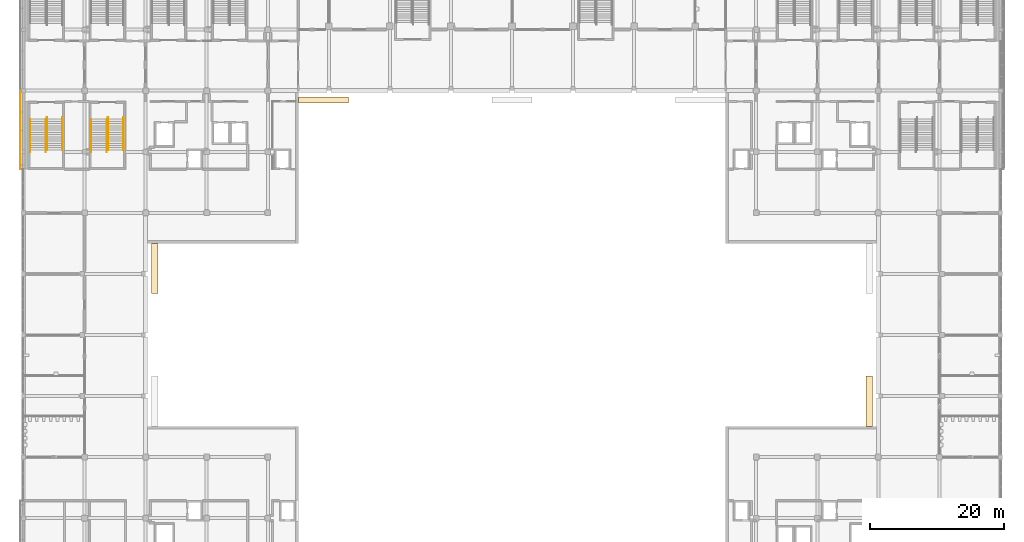
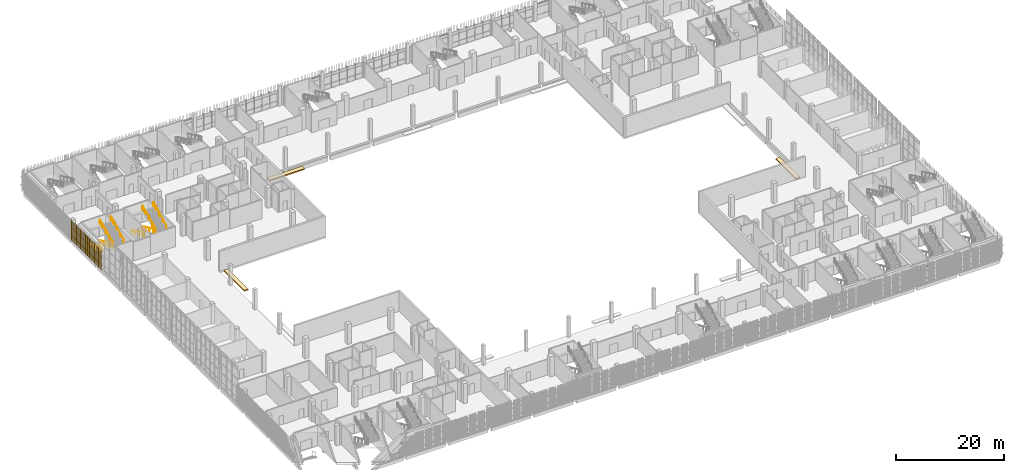
# One storey, part 113 of 126: 8 railings, 3 coverings, 2 shading devices.
"""IFC4 building model written with IfcOpenShell, lengths in metres."""

from ifc_helpers import new_model, si_unit, direction, frame, origin, origin_2d, place, context, subcontext, project, spatial, polyline, rectangle, circle, outline, extrude, material, layer, layer_set, type_object, element, save


model = new_model("IFC4")

# Units and contexts
model_context = context("Model", 3, precision=1e-05, world=origin(), true_north=direction((0.0, 1.0)))
body_context = subcontext(model_context, "Body", "Model", "MODEL_VIEW")
ifc_project = project(units=[si_unit("LENGTHUNIT", "METRE"), si_unit("AREAUNIT", "SQUARE_METRE"), si_unit("VOLUMEUNIT", "CUBIC_METRE"), si_unit("PLANEANGLEUNIT", "RADIAN"), si_unit("MASSUNIT", "GRAM", prefix="KILO")], contexts=[model_context])

# Site, building, storey
site_placement = place(None, origin())
site = spatial("IfcSite", under=ifc_project, at=site_placement, CompositionType="ELEMENT")
building_placement = place(site_placement, origin())
building = spatial("IfcBuilding", under=site, at=building_placement, Name="Shirokan Park Arena", CompositionType="ELEMENT")
storey_placement = place(building_placement, frame((0.0, 0.0, 6.3701171875)))
storey = spatial("IfcBuildingStorey", under=building, at=storey_placement, Name="L01", CompositionType="ELEMENT", Elevation=6.3701171875)

# Coverings
ifc_material_1 = material(Name="Concrete screed on the tier", Category="concrete")
ifc_layer = layer(ifc_material_1, 0.280029296875)
ifc_layer_set = layer_set([ifc_layer], Name="Concrete screed on the tier 280 mm")
covering_type = type_object("IfcCoveringType", Name="Platform floor infill 280", PredefinedType="FLOORING", material=ifc_layer_set)
covering_1_placement = place(storey_placement, frame((0.0, 0.0, -0.280029296875)))
element("IfcCovering", 1, at=covering_1_placement, inside=storey, type_object=covering_type, Name="Wheelchair Platform Floor N1 Lower Tier", PredefinedType="FLOORING", context=body_context, shape_type="SweptSolid", body=[
    extrude(outline(polyline([(48.449951171875, 89.179931640625), (48.449951171875, 90.090087890625), (40.949951171875, 90.090087890625), (40.949951171875, 89.179931640625), (48.449951171875, 89.179931640625)])), origin(), (0.0, 0.0, 1.0), 0.280029296875),
])
covering_2_placement = place(storey_placement, frame((0.0, 0.0, -0.280029296875)))
element("IfcCovering", 2, at=covering_2_placement, inside=storey, type_object=covering_type, Name="Wheelchair Platform Floor E1 Lower Tier", PredefinedType="FLOORING", context=body_context, shape_type="SweptSolid", body=[
    extrude(outline(polyline([(126.489990234375, 40.949951171875), (126.489990234375, 48.449951171875), (125.580078125, 48.449951171875), (125.580078125, 40.949951171875), (126.489990234375, 40.949951171875)])), origin(), (0.0, 0.0, 1.0), 0.280029296875),
])
covering_3_placement = place(storey_placement, frame((0.0, 0.0, -0.280029296875)))
element("IfcCovering", 3, at=covering_3_placement, inside=storey, type_object=covering_type, Name="Wheelchair Platform Floor W2 Lower Tier", PredefinedType="FLOORING", context=body_context, shape_type="SweptSolid", body=[
    extrude(outline(polyline([(20.02001953125, 60.75), (20.02001953125, 68.25), (19.110107421875, 68.25), (19.110107421875, 60.75), (20.02001953125, 60.75)])), origin(), (0.0, 0.0, 1.0), 0.280029296875),
])

# Railings
ifc_material_2 = material(Name="Stainless steel", Category="steel")
railing_type = type_object("IfcRailingType", Name="Stair handrail 900", PredefinedType="HANDRAIL", material=ifc_material_2)
railing_1_placement = place(storey_placement, frame((0.989990234375, 86.75, 0.151611328125)))
element("IfcRailing", 4, at=railing_1_placement, inside=storey, type_object=railing_type, Name="Handrail Exit Stair 4.E L01 to L02", PredefinedType="HANDRAIL", context=body_context, shape_type="SweptSolid", body=[
    extrude(circle(Radius=0.02392578125, at=origin_2d()), frame((0.0, 0.0, 0.8759765625), z_axis=(0.0, -0.907029769225, 0.421066500378), x_axis=(1.0, 0.0, 0.0)), (0.0, 0.0, 1.0), 1.44091796875),
    extrude(circle(Radius=0.02392578125, at=origin_2d()), frame((0.0, -1.306884765625, 1.482421875), z_axis=(0.0, -0.906999720516, 0.421131222998), x_axis=(1.0, 0.0, 0.0)), (0.0, 0.0, 1.0), 1.440673828125),
    extrude(circle(Radius=0.02392578125, at=origin_2d()), frame((0.0, -2.613525390625, 2.08935546875), z_axis=(0.0, -0.907094476872, 0.420927083981), x_axis=(1.0, 0.0, 0.0)), (0.0, 0.0, 1.0), 1.440673828125),
    extrude(circle(Radius=0.02392578125, at=origin_2d()), frame((0.0, -3.92041015625, 2.69580078125), z_axis=(0.0, -0.906934982928, 0.421270621741), x_axis=(1.0, 0.0, 0.0)), (0.0, 0.0, 1.0), 0.720458984375),
    extrude(circle(Radius=0.02392578125, at=origin_2d()), frame((0.0, -4.57373046875, 2.9990234375), z_axis=(0.0, -1.0, 0.0), x_axis=(1.0, 0.0, 0.0)), (0.0, 0.0, 1.0), 0.300048828125),
    extrude(circle(Radius=0.02099609375, at=origin_2d()), origin(), (0.0, 0.0, 1.0), 0.851806640625),
    extrude(circle(Radius=0.02099609375, at=origin_2d()), frame((0.0, -1.306884765625, 0.606689453125)), (0.0, 0.0, 1.0), 0.851806640625),
    extrude(circle(Radius=0.02099609375, at=origin_2d()), frame((0.0, -2.613525390625, 1.21337890625)), (0.0, 0.0, 1.0), 0.851806640625),
    extrude(circle(Radius=0.02099609375, at=origin_2d()), frame((0.0, -3.92041015625, 1.81982421875)), (0.0, 0.0, 1.0), 0.851806640625),
    extrude(circle(Radius=0.02099609375, at=origin_2d()), frame((0.0, -4.57373046875, 2.123291015625)), (0.0, 0.0, 1.0), 0.851806640625),
    extrude(circle(Radius=0.02099609375, at=origin_2d()), frame((0.0, -4.873779296875, 2.123291015625)), (0.0, 0.0, 1.0), 0.851806640625),
])
railing_2_placement = place(storey_placement, frame((3.31005859375, 86.75, 0.151611328125)))
element("IfcRailing", 5, at=railing_2_placement, inside=storey, type_object=railing_type, Name="Handrail Exit Stair 4.E L01 to L02", PredefinedType="HANDRAIL", context=body_context, shape_type="SweptSolid", body=[
    extrude(circle(Radius=0.02392578125, at=origin_2d()), frame((0.0, 0.0, 0.8759765625), z_axis=(0.0, -0.907029769225, 0.421066500378), x_axis=(1.0, 0.0, 0.0)), (0.0, 0.0, 1.0), 1.44091796875),
    extrude(circle(Radius=0.02392578125, at=origin_2d()), frame((0.0, -1.306884765625, 1.482421875), z_axis=(0.0, -0.906999720516, 0.421131222998), x_axis=(1.0, 0.0, 0.0)), (0.0, 0.0, 1.0), 1.440673828125),
    extrude(circle(Radius=0.02392578125, at=origin_2d()), frame((0.0, -2.613525390625, 2.08935546875), z_axis=(0.0, -0.907094476872, 0.420927083981), x_axis=(1.0, 0.0, 0.0)), (0.0, 0.0, 1.0), 1.440673828125),
    extrude(circle(Radius=0.02392578125, at=origin_2d()), frame((0.0, -3.92041015625, 2.69580078125), z_axis=(0.0, -0.906934982928, 0.421270621741), x_axis=(1.0, 0.0, 0.0)), (0.0, 0.0, 1.0), 0.720458984375),
    extrude(circle(Radius=0.02392578125, at=origin_2d()), frame((0.0, -4.57373046875, 2.9990234375), z_axis=(0.0, -1.0, 0.0), x_axis=(1.0, 0.0, 0.0)), (0.0, 0.0, 1.0), 0.300048828125),
    extrude(circle(Radius=0.02099609375, at=origin_2d()), origin(), (0.0, 0.0, 1.0), 0.851806640625),
    extrude(circle(Radius=0.02099609375, at=origin_2d()), frame((0.0, -1.306884765625, 0.606689453125)), (0.0, 0.0, 1.0), 0.851806640625),
    extrude(circle(Radius=0.02099609375, at=origin_2d()), frame((0.0, -2.613525390625, 1.21337890625)), (0.0, 0.0, 1.0), 0.851806640625),
    extrude(circle(Radius=0.02099609375, at=origin_2d()), frame((0.0, -3.92041015625, 1.81982421875)), (0.0, 0.0, 1.0), 0.851806640625),
    extrude(circle(Radius=0.02099609375, at=origin_2d()), frame((0.0, -4.57373046875, 2.123291015625)), (0.0, 0.0, 1.0), 0.851806640625),
    extrude(circle(Radius=0.02099609375, at=origin_2d()), frame((0.0, -4.873779296875, 2.123291015625)), (0.0, 0.0, 1.0), 0.851806640625),
])
railing_3_placement = place(storey_placement, frame((3.489990234375, 82.17626953125, 2.426513671875)))
element("IfcRailing", 6, at=railing_3_placement, inside=storey, type_object=railing_type, Name="Handrail Exit Stair 4.E L01 to L02", PredefinedType="HANDRAIL", context=body_context, shape_type="SweptSolid", body=[
    extrude(circle(Radius=0.02392578125, at=origin_2d()), frame((0.0, 0.0, 0.8759765625), z_axis=(0.0, 0.906999720516, 0.421131222998), x_axis=(-1.0, 0.0, 0.0)), (0.0, 0.0, 1.0), 1.440673828125),
    extrude(circle(Radius=0.02392578125, at=origin_2d()), frame((0.0, 1.306640625, 1.482421875), z_axis=(0.0, 0.907029769225, 0.421066500378), x_axis=(-1.0, 0.0, 0.0)), (0.0, 0.0, 1.0), 1.44091796875),
    extrude(circle(Radius=0.02392578125, at=origin_2d()), frame((0.0, 2.613525390625, 2.08935546875), z_axis=(0.0, 0.907029769225, 0.421066500378), x_axis=(-1.0, 0.0, 0.0)), (0.0, 0.0, 1.0), 1.44091796875),
    extrude(circle(Radius=0.02392578125, at=origin_2d()), frame((0.0, 3.92041015625, 2.69580078125), z_axis=(0.0, 0.907064445915, 0.420991794405), x_axis=(-1.0, 0.0, 0.0)), (0.0, 0.0, 1.0), 0.72021484375),
    extrude(circle(Radius=0.02392578125, at=origin_2d()), frame((0.0, 4.57373046875, 2.9990234375), z_axis=(0.0, 1.0, 0.0), x_axis=(-1.0, 0.0, 0.0)), (0.0, 0.0, 1.0), 0.300048828125),
    extrude(circle(Radius=0.02099609375, at=origin_2d()), origin(), (0.0, 0.0, 1.0), 0.851806640625),
    extrude(circle(Radius=0.02099609375, at=origin_2d()), frame((0.0, 1.306640625, 0.606689453125)), (0.0, 0.0, 1.0), 0.851806640625),
    extrude(circle(Radius=0.02099609375, at=origin_2d()), frame((0.0, 2.613525390625, 1.21337890625)), (0.0, 0.0, 1.0), 0.851806640625),
    extrude(circle(Radius=0.02099609375, at=origin_2d()), frame((0.0, 3.92041015625, 1.820068359375)), (0.0, 0.0, 1.0), 0.851806640625),
    extrude(circle(Radius=0.02099609375, at=origin_2d()), frame((0.0, 4.57373046875, 2.123291015625)), (0.0, 0.0, 1.0), 0.851806640625),
    extrude(circle(Radius=0.02099609375, at=origin_2d()), frame((0.0, 4.873779296875, 2.123291015625)), (0.0, 0.0, 1.0), 0.851806640625),
])
railing_4_placement = place(storey_placement, frame((5.81005859375, 82.17626953125, 2.426513671875)))
element("IfcRailing", 7, at=railing_4_placement, inside=storey, type_object=railing_type, Name="Handrail Exit Stair 4.E L01 to L02", PredefinedType="HANDRAIL", context=body_context, shape_type="SweptSolid", body=[
    extrude(circle(Radius=0.02392578125, at=origin_2d()), frame((0.0, 0.0, 0.8759765625), z_axis=(0.0, 0.906999720516, 0.421131222998), x_axis=(-1.0, 0.0, 0.0)), (0.0, 0.0, 1.0), 1.440673828125),
    extrude(circle(Radius=0.02392578125, at=origin_2d()), frame((0.0, 1.306640625, 1.482421875), z_axis=(0.0, 0.907029769225, 0.421066500378), x_axis=(-1.0, 0.0, 0.0)), (0.0, 0.0, 1.0), 1.44091796875),
    extrude(circle(Radius=0.02392578125, at=origin_2d()), frame((0.0, 2.613525390625, 2.08935546875), z_axis=(0.0, 0.907029769225, 0.421066500378), x_axis=(-1.0, 0.0, 0.0)), (0.0, 0.0, 1.0), 1.44091796875),
    extrude(circle(Radius=0.02392578125, at=origin_2d()), frame((0.0, 3.92041015625, 2.69580078125), z_axis=(0.0, 0.907064445915, 0.420991794405), x_axis=(-1.0, 0.0, 0.0)), (0.0, 0.0, 1.0), 0.72021484375),
    extrude(circle(Radius=0.02392578125, at=origin_2d()), frame((0.0, 4.57373046875, 2.9990234375), z_axis=(0.0, 1.0, 0.0), x_axis=(-1.0, 0.0, 0.0)), (0.0, 0.0, 1.0), 0.300048828125),
    extrude(circle(Radius=0.02099609375, at=origin_2d()), origin(), (0.0, 0.0, 1.0), 0.851806640625),
    extrude(circle(Radius=0.02099609375, at=origin_2d()), frame((0.0, 1.306640625, 0.606689453125)), (0.0, 0.0, 1.0), 0.851806640625),
    extrude(circle(Radius=0.02099609375, at=origin_2d()), frame((0.0, 2.613525390625, 1.21337890625)), (0.0, 0.0, 1.0), 0.851806640625),
    extrude(circle(Radius=0.02099609375, at=origin_2d()), frame((0.0, 3.92041015625, 1.820068359375)), (0.0, 0.0, 1.0), 0.851806640625),
    extrude(circle(Radius=0.02099609375, at=origin_2d()), frame((0.0, 4.57373046875, 2.123291015625)), (0.0, 0.0, 1.0), 0.851806640625),
    extrude(circle(Radius=0.02099609375, at=origin_2d()), frame((0.0, 4.873779296875, 2.123291015625)), (0.0, 0.0, 1.0), 0.851806640625),
])
railing_5_placement = place(storey_placement, frame((10.090087890625, 86.75, 0.151611328125)))
element("IfcRailing", 8, at=railing_5_placement, inside=storey, type_object=railing_type, Name="Handrail Exit Stair 4.F L01 to L02", PredefinedType="HANDRAIL", context=body_context, shape_type="SweptSolid", body=[
    extrude(circle(Radius=0.02392578125, at=origin_2d()), frame((0.0, 0.0, 0.8759765625), z_axis=(0.0, -0.907029769225, 0.421066500378), x_axis=(1.0, 0.0, 0.0)), (0.0, 0.0, 1.0), 1.44091796875),
    extrude(circle(Radius=0.02392578125, at=origin_2d()), frame((0.0, -1.306884765625, 1.482421875), z_axis=(0.0, -0.906999720516, 0.421131222998), x_axis=(1.0, 0.0, 0.0)), (0.0, 0.0, 1.0), 1.440673828125),
    extrude(circle(Radius=0.02392578125, at=origin_2d()), frame((0.0, -2.613525390625, 2.08935546875), z_axis=(0.0, -0.907094476872, 0.420927083981), x_axis=(1.0, 0.0, 0.0)), (0.0, 0.0, 1.0), 1.440673828125),
    extrude(circle(Radius=0.02392578125, at=origin_2d()), frame((0.0, -3.92041015625, 2.69580078125), z_axis=(0.0, -0.906934982928, 0.421270621741), x_axis=(1.0, 0.0, 0.0)), (0.0, 0.0, 1.0), 0.720458984375),
    extrude(circle(Radius=0.02392578125, at=origin_2d()), frame((0.0, -4.57373046875, 2.9990234375), z_axis=(0.0, -1.0, 0.0), x_axis=(1.0, 0.0, 0.0)), (0.0, 0.0, 1.0), 0.300048828125),
    extrude(circle(Radius=0.02099609375, at=origin_2d()), origin(), (0.0, 0.0, 1.0), 0.851806640625),
    extrude(circle(Radius=0.02099609375, at=origin_2d()), frame((0.0, -1.306884765625, 0.606689453125)), (0.0, 0.0, 1.0), 0.851806640625),
    extrude(circle(Radius=0.02099609375, at=origin_2d()), frame((0.0, -2.613525390625, 1.21337890625)), (0.0, 0.0, 1.0), 0.851806640625),
    extrude(circle(Radius=0.02099609375, at=origin_2d()), frame((0.0, -3.92041015625, 1.81982421875)), (0.0, 0.0, 1.0), 0.851806640625),
    extrude(circle(Radius=0.02099609375, at=origin_2d()), frame((0.0, -4.57373046875, 2.123291015625)), (0.0, 0.0, 1.0), 0.851806640625),
    extrude(circle(Radius=0.02099609375, at=origin_2d()), frame((0.0, -4.873779296875, 2.123291015625)), (0.0, 0.0, 1.0), 0.851806640625),
])
railing_6_placement = place(storey_placement, frame((12.409912109375, 86.75, 0.151611328125)))
element("IfcRailing", 9, at=railing_6_placement, inside=storey, type_object=railing_type, Name="Handrail Exit Stair 4.F L01 to L02", PredefinedType="HANDRAIL", context=body_context, shape_type="SweptSolid", body=[
    extrude(circle(Radius=0.02392578125, at=origin_2d()), frame((0.0, 0.0, 0.8759765625), z_axis=(0.0, -0.907029769225, 0.421066500378), x_axis=(1.0, 0.0, 0.0)), (0.0, 0.0, 1.0), 1.44091796875),
    extrude(circle(Radius=0.02392578125, at=origin_2d()), frame((0.0, -1.306884765625, 1.482421875), z_axis=(0.0, -0.906999720516, 0.421131222998), x_axis=(1.0, 0.0, 0.0)), (0.0, 0.0, 1.0), 1.440673828125),
    extrude(circle(Radius=0.02392578125, at=origin_2d()), frame((0.0, -2.613525390625, 2.08935546875), z_axis=(0.0, -0.907094476872, 0.420927083981), x_axis=(1.0, 0.0, 0.0)), (0.0, 0.0, 1.0), 1.440673828125),
    extrude(circle(Radius=0.02392578125, at=origin_2d()), frame((0.0, -3.92041015625, 2.69580078125), z_axis=(0.0, -0.906934982928, 0.421270621741), x_axis=(1.0, 0.0, 0.0)), (0.0, 0.0, 1.0), 0.720458984375),
    extrude(circle(Radius=0.02392578125, at=origin_2d()), frame((0.0, -4.57373046875, 2.9990234375), z_axis=(0.0, -1.0, 0.0), x_axis=(1.0, 0.0, 0.0)), (0.0, 0.0, 1.0), 0.300048828125),
    extrude(circle(Radius=0.02099609375, at=origin_2d()), origin(), (0.0, 0.0, 1.0), 0.851806640625),
    extrude(circle(Radius=0.02099609375, at=origin_2d()), frame((0.0, -1.306884765625, 0.606689453125)), (0.0, 0.0, 1.0), 0.851806640625),
    extrude(circle(Radius=0.02099609375, at=origin_2d()), frame((0.0, -2.613525390625, 1.21337890625)), (0.0, 0.0, 1.0), 0.851806640625),
    extrude(circle(Radius=0.02099609375, at=origin_2d()), frame((0.0, -3.92041015625, 1.81982421875)), (0.0, 0.0, 1.0), 0.851806640625),
    extrude(circle(Radius=0.02099609375, at=origin_2d()), frame((0.0, -4.57373046875, 2.123291015625)), (0.0, 0.0, 1.0), 0.851806640625),
    extrude(circle(Radius=0.02099609375, at=origin_2d()), frame((0.0, -4.873779296875, 2.123291015625)), (0.0, 0.0, 1.0), 0.851806640625),
])
railing_7_placement = place(storey_placement, frame((12.590087890625, 82.17626953125, 2.426513671875)))
element("IfcRailing", 10, at=railing_7_placement, inside=storey, type_object=railing_type, Name="Handrail Exit Stair 4.F L01 to L02", PredefinedType="HANDRAIL", context=body_context, shape_type="SweptSolid", body=[
    extrude(circle(Radius=0.02392578125, at=origin_2d()), frame((0.0, 0.0, 0.8759765625), z_axis=(0.0, 0.906999720516, 0.421131222998), x_axis=(-1.0, 0.0, 0.0)), (0.0, 0.0, 1.0), 1.440673828125),
    extrude(circle(Radius=0.02392578125, at=origin_2d()), frame((0.0, 1.306640625, 1.482421875), z_axis=(0.0, 0.907029769225, 0.421066500378), x_axis=(-1.0, 0.0, 0.0)), (0.0, 0.0, 1.0), 1.44091796875),
    extrude(circle(Radius=0.02392578125, at=origin_2d()), frame((0.0, 2.613525390625, 2.08935546875), z_axis=(0.0, 0.907029769225, 0.421066500378), x_axis=(-1.0, 0.0, 0.0)), (0.0, 0.0, 1.0), 1.44091796875),
    extrude(circle(Radius=0.02392578125, at=origin_2d()), frame((0.0, 3.92041015625, 2.69580078125), z_axis=(0.0, 0.907064445915, 0.420991794405), x_axis=(-1.0, 0.0, 0.0)), (0.0, 0.0, 1.0), 0.72021484375),
    extrude(circle(Radius=0.02392578125, at=origin_2d()), frame((0.0, 4.57373046875, 2.9990234375), z_axis=(0.0, 1.0, 0.0), x_axis=(-1.0, 0.0, 0.0)), (0.0, 0.0, 1.0), 0.300048828125),
    extrude(circle(Radius=0.02099609375, at=origin_2d()), origin(), (0.0, 0.0, 1.0), 0.851806640625),
    extrude(circle(Radius=0.02099609375, at=origin_2d()), frame((0.0, 1.306640625, 0.606689453125)), (0.0, 0.0, 1.0), 0.851806640625),
    extrude(circle(Radius=0.02099609375, at=origin_2d()), frame((0.0, 2.613525390625, 1.21337890625)), (0.0, 0.0, 1.0), 0.851806640625),
    extrude(circle(Radius=0.02099609375, at=origin_2d()), frame((0.0, 3.92041015625, 1.820068359375)), (0.0, 0.0, 1.0), 0.851806640625),
    extrude(circle(Radius=0.02099609375, at=origin_2d()), frame((0.0, 4.57373046875, 2.123291015625)), (0.0, 0.0, 1.0), 0.851806640625),
    extrude(circle(Radius=0.02099609375, at=origin_2d()), frame((0.0, 4.873779296875, 2.123291015625)), (0.0, 0.0, 1.0), 0.851806640625),
])
railing_8_placement = place(storey_placement, frame((14.909912109375, 82.17626953125, 2.426513671875)))
element("IfcRailing", 11, at=railing_8_placement, inside=storey, type_object=railing_type, Name="Handrail Exit Stair 4.F L01 to L02", PredefinedType="HANDRAIL", context=body_context, shape_type="SweptSolid", body=[
    extrude(circle(Radius=0.02392578125, at=origin_2d()), frame((0.0, 0.0, 0.8759765625), z_axis=(0.0, 0.906999720516, 0.421131222998), x_axis=(-1.0, 0.0, 0.0)), (0.0, 0.0, 1.0), 1.440673828125),
    extrude(circle(Radius=0.02392578125, at=origin_2d()), frame((0.0, 1.306640625, 1.482421875), z_axis=(0.0, 0.907029769225, 0.421066500378), x_axis=(-1.0, 0.0, 0.0)), (0.0, 0.0, 1.0), 1.44091796875),
    extrude(circle(Radius=0.02392578125, at=origin_2d()), frame((0.0, 2.613525390625, 2.08935546875), z_axis=(0.0, 0.907029769225, 0.421066500378), x_axis=(-1.0, 0.0, 0.0)), (0.0, 0.0, 1.0), 1.44091796875),
    extrude(circle(Radius=0.02392578125, at=origin_2d()), frame((0.0, 3.92041015625, 2.69580078125), z_axis=(0.0, 0.907064445915, 0.420991794405), x_axis=(-1.0, 0.0, 0.0)), (0.0, 0.0, 1.0), 0.72021484375),
    extrude(circle(Radius=0.02392578125, at=origin_2d()), frame((0.0, 4.57373046875, 2.9990234375), z_axis=(0.0, 1.0, 0.0), x_axis=(-1.0, 0.0, 0.0)), (0.0, 0.0, 1.0), 0.300048828125),
    extrude(circle(Radius=0.02099609375, at=origin_2d()), origin(), (0.0, 0.0, 1.0), 0.851806640625),
    extrude(circle(Radius=0.02099609375, at=origin_2d()), frame((0.0, 1.306640625, 0.606689453125)), (0.0, 0.0, 1.0), 0.851806640625),
    extrude(circle(Radius=0.02099609375, at=origin_2d()), frame((0.0, 2.613525390625, 1.21337890625)), (0.0, 0.0, 1.0), 0.851806640625),
    extrude(circle(Radius=0.02099609375, at=origin_2d()), frame((0.0, 3.92041015625, 1.820068359375)), (0.0, 0.0, 1.0), 0.851806640625),
    extrude(circle(Radius=0.02099609375, at=origin_2d()), frame((0.0, 4.57373046875, 2.123291015625)), (0.0, 0.0, 1.0), 0.851806640625),
    extrude(circle(Radius=0.02099609375, at=origin_2d()), frame((0.0, 4.873779296875, 2.123291015625)), (0.0, 0.0, 1.0), 0.851806640625),
])

# Shading devices
ifc_material_3 = material(Name="Timber louvre veil (cedar)", Category="wood")
shading_device_type = type_object("IfcShadingDeviceType", Name="Timber louvre veil panel", PredefinedType="JALOUSIE", material=ifc_material_3)
shading_device_1_placement = place(storey_placement, origin())
element("IfcShadingDevice", 12, at=shading_device_1_placement, inside=storey, type_object=shading_device_type, Name="Timber louvre veil west bay 3 L01", PredefinedType="JALOUSIE", context=body_context, shape_type="SweptSolid", body=[
    extrude(rectangle(XDim=0.050048828125, YDim=0.080078125, at=origin_2d()), frame((-0.485107421875, 90.848388671875, 0.0), z_axis=(0.0, 0.0, 1.0), x_axis=(0.0, -1.0, 0.0)), (0.0, 0.0, 1.0), 4.550048828125),
    extrude(rectangle(XDim=0.050048828125, YDim=0.080078125, at=origin_2d()), frame((-0.485107421875, 90.544921875, 0.0), z_axis=(0.0, 0.0, 1.0), x_axis=(0.0, -1.0, 0.0)), (0.0, 0.0, 1.0), 4.550048828125),
    extrude(rectangle(XDim=0.050048828125, YDim=0.080078125, at=origin_2d()), frame((-0.485107421875, 90.24169921875, 0.0), z_axis=(0.0, 0.0, 1.0), x_axis=(0.0, -1.0, 0.0)), (0.0, 0.0, 1.0), 4.550048828125),
    extrude(rectangle(XDim=0.050048828125, YDim=0.080078125, at=origin_2d()), frame((-0.485107421875, 89.938232421875, 0.0), z_axis=(0.0, 0.0, 1.0), x_axis=(0.0, -1.0, 0.0)), (0.0, 0.0, 1.0), 4.550048828125),
    extrude(rectangle(XDim=0.050048828125, YDim=0.080078125, at=origin_2d()), frame((-0.485107421875, 89.635009765625, 0.0), z_axis=(0.0, 0.0, 1.0), x_axis=(0.0, -1.0, 0.0)), (0.0, 0.0, 1.0), 4.550048828125),
    extrude(rectangle(XDim=0.050048828125, YDim=0.080078125, at=origin_2d()), frame((-0.485107421875, 89.331787109375, 0.0), z_axis=(0.0, 0.0, 1.0), x_axis=(0.0, -1.0, 0.0)), (0.0, 0.0, 1.0), 4.550048828125),
    extrude(rectangle(XDim=0.050048828125, YDim=0.080078125, at=origin_2d()), frame((-0.485107421875, 89.0283203125, 0.0), z_axis=(0.0, 0.0, 1.0), x_axis=(0.0, -1.0, 0.0)), (0.0, 0.0, 1.0), 4.550048828125),
    extrude(rectangle(XDim=0.050048828125, YDim=0.080078125, at=origin_2d()), frame((-0.485107421875, 88.72509765625, 0.0), z_axis=(0.0, 0.0, 1.0), x_axis=(0.0, -1.0, 0.0)), (0.0, 0.0, 1.0), 4.550048828125),
    extrude(rectangle(XDim=0.050048828125, YDim=0.080078125, at=origin_2d()), frame((-0.485107421875, 88.421630859375, 0.0), z_axis=(0.0, 0.0, 1.0), x_axis=(0.0, -1.0, 0.0)), (0.0, 0.0, 1.0), 4.550048828125),
    extrude(rectangle(XDim=0.050048828125, YDim=0.080078125, at=origin_2d()), frame((-0.485107421875, 88.118408203125, 0.0), z_axis=(0.0, 0.0, 1.0), x_axis=(0.0, -1.0, 0.0)), (0.0, 0.0, 1.0), 4.550048828125),
    extrude(rectangle(XDim=0.050048828125, YDim=0.080078125, at=origin_2d()), frame((-0.485107421875, 87.81494140625, 0.0), z_axis=(0.0, 0.0, 1.0), x_axis=(0.0, -1.0, 0.0)), (0.0, 0.0, 1.0), 4.550048828125),
    extrude(rectangle(XDim=0.050048828125, YDim=0.080078125, at=origin_2d()), frame((-0.485107421875, 87.51171875, 0.0), z_axis=(0.0, 0.0, 1.0), x_axis=(0.0, -1.0, 0.0)), (0.0, 0.0, 1.0), 4.550048828125),
    extrude(rectangle(XDim=0.050048828125, YDim=0.080078125, at=origin_2d()), frame((-0.485107421875, 87.208251953125, 0.0), z_axis=(0.0, 0.0, 1.0), x_axis=(0.0, -1.0, 0.0)), (0.0, 0.0, 1.0), 4.550048828125),
    extrude(rectangle(XDim=0.050048828125, YDim=0.080078125, at=origin_2d()), frame((-0.485107421875, 86.905029296875, 0.0), z_axis=(0.0, 0.0, 1.0), x_axis=(0.0, -1.0, 0.0)), (0.0, 0.0, 1.0), 4.550048828125),
    extrude(rectangle(XDim=0.050048828125, YDim=0.080078125, at=origin_2d()), frame((-0.485107421875, 86.6015625, 0.0), z_axis=(0.0, 0.0, 1.0), x_axis=(0.0, -1.0, 0.0)), (0.0, 0.0, 1.0), 4.550048828125),
    extrude(rectangle(XDim=0.050048828125, YDim=0.080078125, at=origin_2d()), frame((-0.485107421875, 86.29833984375, 0.0), z_axis=(0.0, 0.0, 1.0), x_axis=(0.0, -1.0, 0.0)), (0.0, 0.0, 1.0), 4.550048828125),
    extrude(rectangle(XDim=0.050048828125, YDim=0.080078125, at=origin_2d()), frame((-0.485107421875, 85.9951171875, 0.0), z_axis=(0.0, 0.0, 1.0), x_axis=(0.0, -1.0, 0.0)), (0.0, 0.0, 1.0), 4.550048828125),
    extrude(rectangle(XDim=0.050048828125, YDim=0.080078125, at=origin_2d()), frame((-0.485107421875, 85.691650390625, 0.0), z_axis=(0.0, 0.0, 1.0), x_axis=(0.0, -1.0, 0.0)), (0.0, 0.0, 1.0), 4.550048828125),
    extrude(rectangle(XDim=0.050048828125, YDim=0.080078125, at=origin_2d()), frame((-0.485107421875, 85.388427734375, 0.0), z_axis=(0.0, 0.0, 1.0), x_axis=(0.0, -1.0, 0.0)), (0.0, 0.0, 1.0), 4.550048828125),
    extrude(rectangle(XDim=0.050048828125, YDim=0.080078125, at=origin_2d()), frame((-0.485107421875, 85.0849609375, 0.0), z_axis=(0.0, 0.0, 1.0), x_axis=(0.0, -1.0, 0.0)), (0.0, 0.0, 1.0), 4.550048828125),
    extrude(rectangle(XDim=0.050048828125, YDim=0.080078125, at=origin_2d()), frame((-0.485107421875, 84.78173828125, 0.0), z_axis=(0.0, 0.0, 1.0), x_axis=(0.0, -1.0, 0.0)), (0.0, 0.0, 1.0), 4.550048828125),
    extrude(rectangle(XDim=0.050048828125, YDim=0.080078125, at=origin_2d()), frame((-0.485107421875, 84.478271484375, 0.0), z_axis=(0.0, 0.0, 1.0), x_axis=(0.0, -1.0, 0.0)), (0.0, 0.0, 1.0), 4.550048828125),
    extrude(rectangle(XDim=0.050048828125, YDim=0.080078125, at=origin_2d()), frame((-0.485107421875, 84.175048828125, 0.0), z_axis=(0.0, 0.0, 1.0), x_axis=(0.0, -1.0, 0.0)), (0.0, 0.0, 1.0), 4.550048828125),
    extrude(rectangle(XDim=0.050048828125, YDim=0.080078125, at=origin_2d()), frame((-0.485107421875, 83.87158203125, 0.0), z_axis=(0.0, 0.0, 1.0), x_axis=(0.0, -1.0, 0.0)), (0.0, 0.0, 1.0), 4.550048828125),
    extrude(rectangle(XDim=0.050048828125, YDim=0.080078125, at=origin_2d()), frame((-0.485107421875, 83.568359375, 0.0), z_axis=(0.0, 0.0, 1.0), x_axis=(0.0, -1.0, 0.0)), (0.0, 0.0, 1.0), 4.550048828125),
    extrude(rectangle(XDim=0.050048828125, YDim=0.080078125, at=origin_2d()), frame((-0.485107421875, 83.264892578125, 0.0), z_axis=(0.0, 0.0, 1.0), x_axis=(0.0, -1.0, 0.0)), (0.0, 0.0, 1.0), 4.550048828125),
    extrude(rectangle(XDim=0.050048828125, YDim=0.080078125, at=origin_2d()), frame((-0.485107421875, 82.961669921875, 0.0), z_axis=(0.0, 0.0, 1.0), x_axis=(0.0, -1.0, 0.0)), (0.0, 0.0, 1.0), 4.550048828125),
    extrude(rectangle(XDim=0.050048828125, YDim=0.080078125, at=origin_2d()), frame((-0.485107421875, 82.658447265625, 0.0), z_axis=(0.0, 0.0, 1.0), x_axis=(0.0, -1.0, 0.0)), (0.0, 0.0, 1.0), 4.550048828125),
    extrude(rectangle(XDim=0.050048828125, YDim=0.080078125, at=origin_2d()), frame((-0.485107421875, 82.35498046875, 0.0), z_axis=(0.0, 0.0, 1.0), x_axis=(0.0, -1.0, 0.0)), (0.0, 0.0, 1.0), 4.550048828125),
    extrude(rectangle(XDim=0.050048828125, YDim=0.080078125, at=origin_2d()), frame((-0.485107421875, 82.0517578125, 0.0), z_axis=(0.0, 0.0, 1.0), x_axis=(0.0, -1.0, 0.0)), (0.0, 0.0, 1.0), 4.550048828125),
    extrude(rectangle(XDim=9.10009765625, YDim=0.050048828125, at=origin_2d()), frame((-0.469970703125, 86.449951171875, 1.059814453125), z_axis=(0.0, 0.0, 1.0), x_axis=(0.0, -1.0, 0.0)), (0.0, 0.0, 1.0), 0.080078125),
    extrude(rectangle(XDim=9.10009765625, YDim=0.050048828125, at=origin_2d()), frame((-0.469970703125, 86.449951171875, 2.809814453125), z_axis=(0.0, 0.0, 1.0), x_axis=(0.0, -1.0, 0.0)), (0.0, 0.0, 1.0), 0.080078125),
])
shading_device_2_placement = place(storey_placement, origin())
element("IfcShadingDevice", 13, at=shading_device_2_placement, inside=storey, type_object=shading_device_type, Name="Timber louvre veil west bay 4 L01", PredefinedType="JALOUSIE", context=body_context, shape_type="SweptSolid", body=[
    extrude(rectangle(XDim=0.050048828125, YDim=0.080078125, at=origin_2d()), frame((-0.485107421875, 81.748291015625, 0.0), z_axis=(0.0, 0.0, 1.0), x_axis=(0.0, -1.0, 0.0)), (0.0, 0.0, 1.0), 4.550048828125),
    extrude(rectangle(XDim=0.050048828125, YDim=0.080078125, at=origin_2d()), frame((-0.485107421875, 81.445068359375, 0.0), z_axis=(0.0, 0.0, 1.0), x_axis=(0.0, -1.0, 0.0)), (0.0, 0.0, 1.0), 4.550048828125),
    extrude(rectangle(XDim=0.050048828125, YDim=0.080078125, at=origin_2d()), frame((-0.485107421875, 81.1416015625, 0.0), z_axis=(0.0, 0.0, 1.0), x_axis=(0.0, -1.0, 0.0)), (0.0, 0.0, 1.0), 4.550048828125),
    extrude(rectangle(XDim=0.050048828125, YDim=0.080078125, at=origin_2d()), frame((-0.485107421875, 80.83837890625, 0.0), z_axis=(0.0, 0.0, 1.0), x_axis=(0.0, -1.0, 0.0)), (0.0, 0.0, 1.0), 4.550048828125),
    extrude(rectangle(XDim=0.050048828125, YDim=0.080078125, at=origin_2d()), frame((-0.485107421875, 80.534912109375, 0.0), z_axis=(0.0, 0.0, 1.0), x_axis=(0.0, -1.0, 0.0)), (0.0, 0.0, 1.0), 4.550048828125),
    extrude(rectangle(XDim=0.050048828125, YDim=0.080078125, at=origin_2d()), frame((-0.485107421875, 80.231689453125, 0.0), z_axis=(0.0, 0.0, 1.0), x_axis=(0.0, -1.0, 0.0)), (0.0, 0.0, 1.0), 4.550048828125),
    extrude(rectangle(XDim=0.050048828125, YDim=0.080078125, at=origin_2d()), frame((-0.485107421875, 79.92822265625, 0.0), z_axis=(0.0, 0.0, 1.0), x_axis=(0.0, -1.0, 0.0)), (0.0, 0.0, 1.0), 4.550048828125),
    extrude(rectangle(XDim=0.050048828125, YDim=0.080078125, at=origin_2d()), frame((-0.485107421875, 79.625, 0.0), z_axis=(0.0, 0.0, 1.0), x_axis=(0.0, -1.0, 0.0)), (0.0, 0.0, 1.0), 4.550048828125),
    extrude(rectangle(XDim=2.60009765625, YDim=0.050048828125, at=origin_2d()), frame((-0.469970703125, 80.60009765625, 1.059814453125), z_axis=(0.0, 0.0, 1.0), x_axis=(0.0, -1.0, 0.0)), (0.0, 0.0, 1.0), 0.080078125),
    extrude(rectangle(XDim=2.60009765625, YDim=0.050048828125, at=origin_2d()), frame((-0.469970703125, 80.60009765625, 2.809814453125), z_axis=(0.0, 0.0, 1.0), x_axis=(0.0, -1.0, 0.0)), (0.0, 0.0, 1.0), 0.080078125),
])

save(model, "model.ifc")
